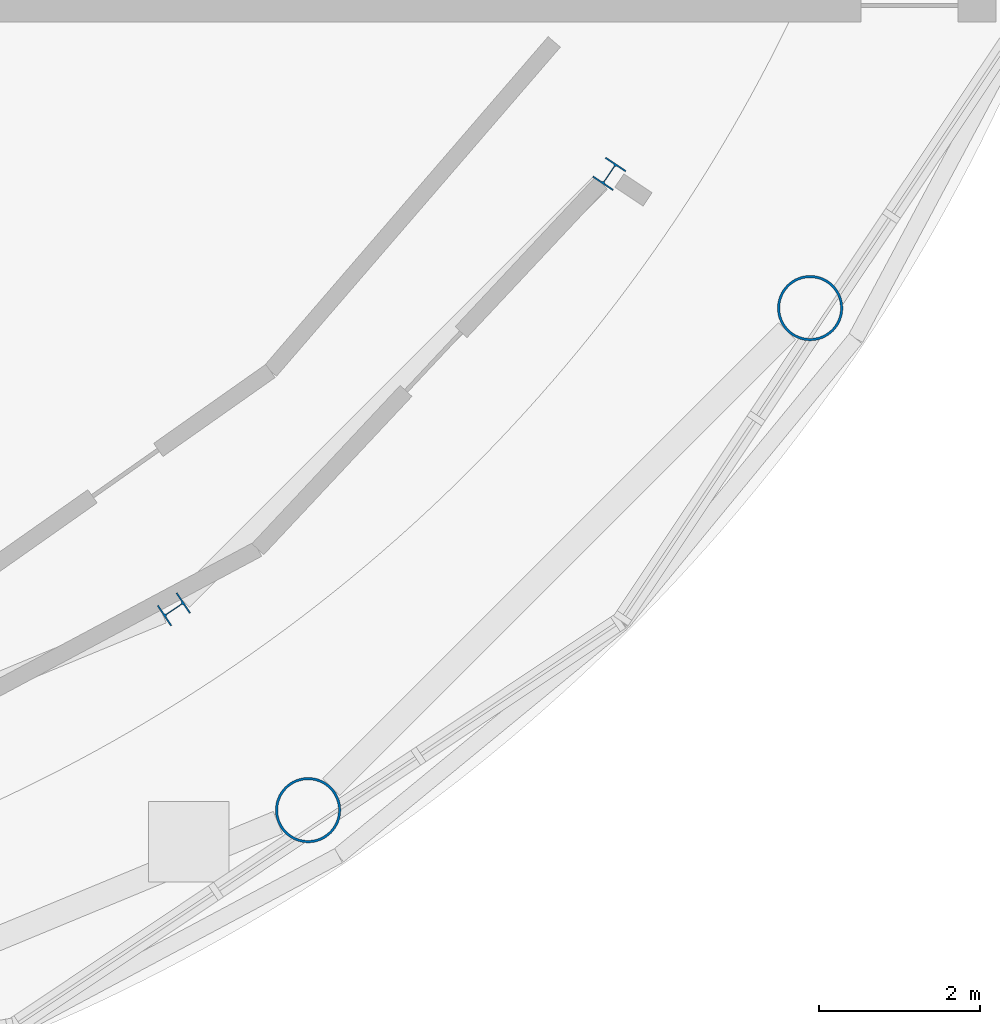
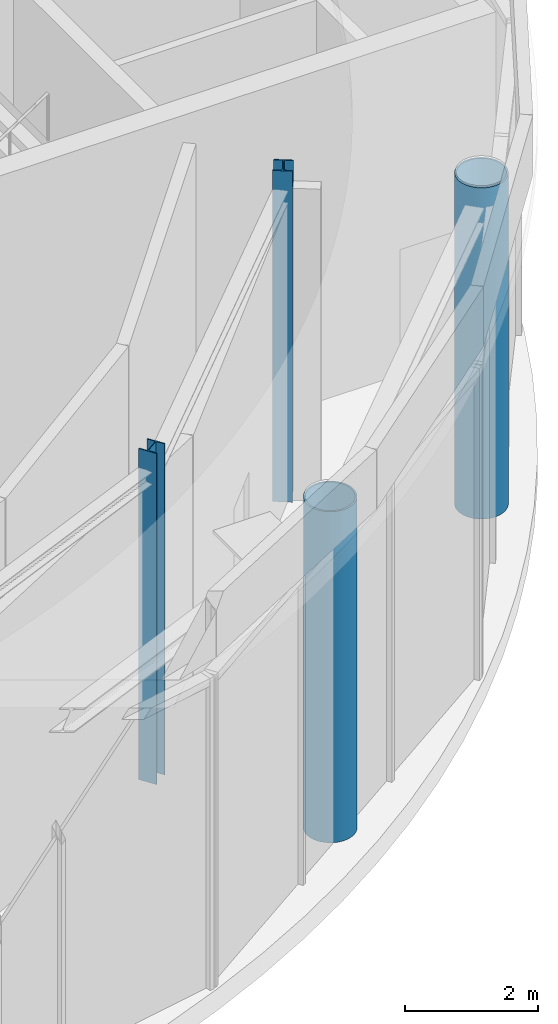
# One storey, part 3 of 20: 4 columns.
"""IFC4 building model written with IfcOpenShell, lengths in metres."""

from ifc_helpers import new_model, si_unit, direction, frame, origin, origin_2d, place, context, subcontext, project, spatial, hollow_circle, i_section, extrude, material, material_profile, profile_set, type_object, element, save


model = new_model("IFC4")

# Units and contexts
model_context = context("Model", 3, precision=1e-05, world=origin(), true_north=direction((0.0, 1.0)))
body_context = subcontext(model_context, "Body", "Model", "MODEL_VIEW")
ifc_project = project(units=[si_unit("LENGTHUNIT", "METRE"), si_unit("AREAUNIT", "SQUARE_METRE"), si_unit("VOLUMEUNIT", "CUBIC_METRE"), si_unit("PLANEANGLEUNIT", "RADIAN"), si_unit("MASSUNIT", "GRAM", prefix="KILO")], contexts=[model_context])

# Site, building, storey
site_placement = place(None, origin())
site = spatial("IfcSite", under=ifc_project, at=site_placement, CompositionType="ELEMENT")
building_placement = place(site_placement, origin())
building = spatial("IfcBuilding", under=site, at=building_placement, Name="Maasbend Ring Residences", CompositionType="ELEMENT")
storey_placement = place(building_placement, frame((0.0, 0.0, 255.39990234375)))
storey = spatial("IfcBuildingStorey", under=building, at=storey_placement, Name="L74", CompositionType="ELEMENT", Elevation=255.39990234375)

# Columns
ifc_material_1 = material(Name="Composite concrete-filled steel tube S460NH / C80/95", Category="concrete")
ifc_material_profile_1 = material_profile(ifc_material_1, hollow_circle(Radius=0.406494140625, WallThickness=0.030029296875, at=origin_2d()), Name="Composite tube column CHS 813x30")
ifc_profile_set_1 = profile_set([ifc_material_profile_1], Name="Composite concrete-filled steel tube S460NH / C80/95")
column_type_1 = type_object("IfcColumnType", Name="Composite tube column CHS 813x30", PredefinedType="COLUMN", material=ifc_profile_set_1)
for number, where, z_axis, x_axis, name in (
    (1, (12.555908203125, -18.791259765625, 0.0), (0.0, 0.0, 1.0), (1.0, 0.0, 0.0), "Outer column R14"),
    (2, (18.791259765625, -12.555908203125, 0.0), (0.0, 0.0, 1.0), (1.0, 0.0, 0.0), "Outer column R15"),
):
    element("IfcColumn", number, at=place(storey_placement, frame(where, z_axis=z_axis, x_axis=x_axis)), inside=storey, type_object=column_type_1, Name=name, PredefinedType="COLUMN", context=body_context, shape_type="SweptSolid", body=[
        extrude(hollow_circle(Radius=0.406494140625, WallThickness=0.030029296875, at=origin_2d()), origin(), (0.0, 0.0, 1.0), 6.10009765625),
    ])
ifc_material_2 = material(Name="Steel S355J2", Category="steel")
ifc_material_profile_2 = material_profile(ifc_material_2, i_section(OverallWidth=0.300048828125, OverallDepth=0.300048828125, WebThickness=0.010986328125, FlangeThickness=0.01904296875, FilletRadius=0.027099609375, at=origin_2d()), Name="HEB 300")
ifc_profile_set_2 = profile_set([ifc_material_profile_2], Name="Steel S355J2")
column_type_2 = type_object("IfcColumnType", Name="Steel column HEB 300", PredefinedType="COLUMN", material=ifc_profile_set_2)
for number, where, z_axis, x_axis, name in (
    (3, (10.88916015625, -16.296875, 0.0), (0.0, 0.0, 1.0), (0.55557023302, -0.831469612303, 0.0), "Corridor ring column R14"),
    (4, (16.296875, -10.88916015625, 0.0), (0.0, 0.0, 1.0), (0.831469612303, -0.55557023302, 0.0), "Corridor ring column R15"),
):
    element("IfcColumn", number, at=place(storey_placement, frame(where, z_axis=z_axis, x_axis=x_axis)), inside=storey, type_object=column_type_2, Name=name, PredefinedType="COLUMN", context=body_context, shape_type="SweptSolid", body=[
        extrude(i_section(OverallWidth=0.300048828125, OverallDepth=0.300048828125, WebThickness=0.010986328125, FlangeThickness=0.01904296875, FilletRadius=0.027099609375, at=origin_2d()), origin(), (0.0, 0.0, 1.0), 6.10009765625),
    ])

save(model, "model.ifc")
